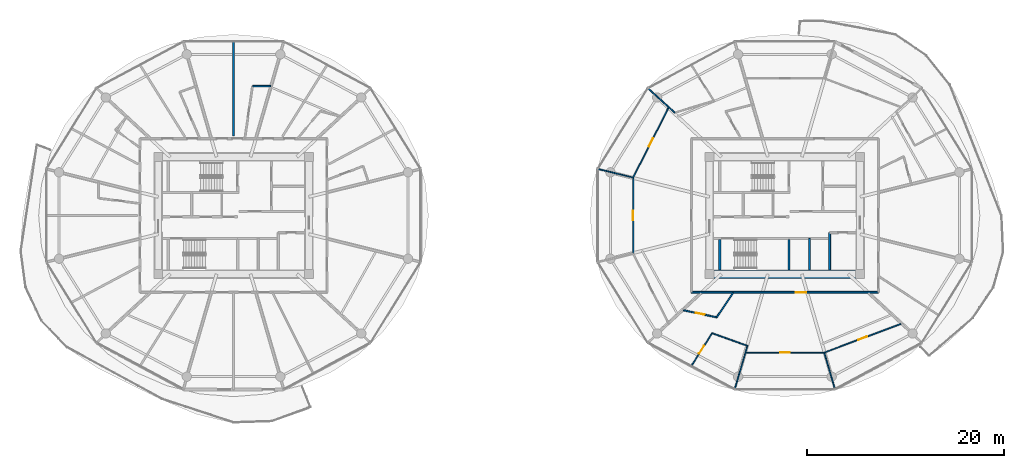
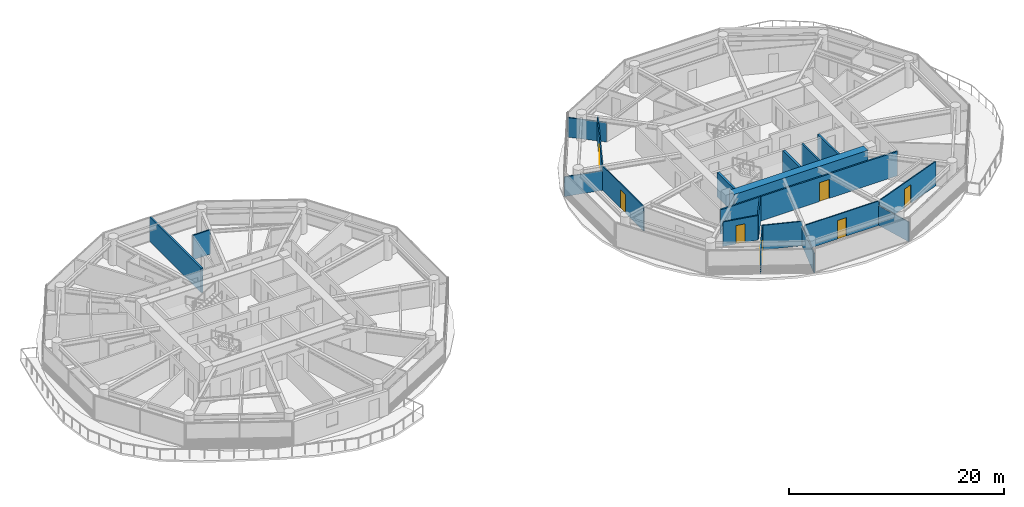
# One storey, part 18 of 27: 20 walls, 7 doors, 7 openings.
"""IFC4 building model written with IfcOpenShell, lengths in metres."""

from ifc_helpers import new_model, si_unit, direction, frame, frame_2d, origin, place, context, subcontext, project, spatial, rectangle, extrude, source, transform, mapped, material, layer, layer_set, type_object, type_shapes, element, fill, save


model = new_model("IFC4")

# Units and contexts
model_context = context("Model", 3, precision=1e-05, world=origin(), true_north=direction((0.0, 1.0)))
body_context = subcontext(model_context, "Body", "Model", "MODEL_VIEW")
ifc_project = project(units=[si_unit("LENGTHUNIT", "METRE"), si_unit("AREAUNIT", "SQUARE_METRE"), si_unit("VOLUMEUNIT", "CUBIC_METRE"), si_unit("PLANEANGLEUNIT", "RADIAN"), si_unit("MASSUNIT", "GRAM", prefix="KILO")], contexts=[model_context])

# Site, building, storey
site_placement = place(None, origin())
site = spatial("IfcSite", under=ifc_project, at=site_placement, CompositionType="ELEMENT")
building_placement = place(site_placement, origin())
building = spatial("IfcBuilding", under=site, at=building_placement, Name="Norrkilde Senior Care Towers", CompositionType="ELEMENT")
storey_placement = place(building_placement, frame((0.0, 0.0, 46.0)))
storey = spatial("IfcBuildingStorey", under=building, at=storey_placement, Name="L13", CompositionType="ELEMENT", Elevation=46.0)

# Walls
ifc_material_1 = material(Name="Concrete C60/75", Category="concrete")
ifc_layer_1 = layer(ifc_material_1, 0.85009765625)
ifc_layer_set_1 = layer_set([ifc_layer_1], Name="Concrete C60/75")
wall_type_1 = type_object("IfcWallType", Name="Core Shear Wall Z1 850", PredefinedType="SHEAR", material=ifc_layer_set_1)
shared_shape_1 = source(origin(), body_context, "Body", "SweptSolid", [
    extrude(rectangle(XDim=14.39990234375, YDim=0.85009765625, at=frame_2d((7.199951171875, 0.0))), origin(), (0.0, 0.0, 1.0), 2.7900390625),
])
type_shapes(wall_type_1, [shared_shape_1])
wall_1_placement = place(storey_placement, frame((35.199951171875, -5.949951171875, 0.0), z_axis=(0.0, 0.0, 1.0), x_axis=(-1.0, 0.0, 0.0)))
element("IfcWall", 1, at=wall_1_placement, inside=storey, type_object=wall_type_1, Name="L13 Core E South Shear Wall", PredefinedType="SHEAR", context=body_context, shape_type="MappedRepresentation", body=[
    mapped(shared_shape_1, transform((0.0, 0.0, 0.0), x_axis=(1.0, 0.0, 0.0), y_axis=(0.0, 1.0, 0.0), z_axis=(0.0, 0.0, 1.0), scale=1.0)),
])
ifc_material_2 = material(Name="Concrete C45/55", Category="concrete")
ifc_layer_2 = layer(ifc_material_2, 0.199951171875)
ifc_layer_set_2 = layer_set([ifc_layer_2], Name="Concrete C45/55")
wall_type_2 = type_object("IfcWallType", Name="Shaft Division and Plant Partition 200", PredefinedType="PARTITIONING", material=ifc_layer_set_2)
shared_shape_2 = source(origin(), body_context, "Body", "SweptSolid", [
    extrude(rectangle(XDim=3.800048828125, YDim=0.199951171875, at=frame_2d((1.89990234375, 0.0))), origin(), (0.0, 0.0, 1.0), 2.77490234375),
])
type_shapes(wall_type_2, [shared_shape_2])
wall_2_placement = place(storey_placement, frame((32.550048828125, -5.550048828125, 0.0), z_axis=(0.0, 0.0, 1.0), x_axis=(0.0, 1.0, 0.0)))
element("IfcWall", 2, at=wall_2_placement, inside=storey, type_object=wall_type_2, Name="WL-INT-L13-E-PKBE", PredefinedType="PARTITIONING", context=body_context, shape_type="MappedRepresentation", body=[
    mapped(shared_shape_2, transform((0.0, 0.0, 0.0), x_axis=(1.0, 0.0, 0.0), y_axis=(0.0, 1.0, 0.0), z_axis=(0.0, 0.0, 1.0), scale=1.0)),
])
ifc_layer_3 = layer(ifc_material_2, 0.179931640625)
ifc_layer_set_3 = layer_set([ifc_layer_3], Name="Concrete C45/55")
wall_type_3 = type_object("IfcWallType", Name="Hoistway Division Rated Partition 180", PredefinedType="PARTITIONING", material=ifc_layer_set_3)
shared_shape_3 = source(origin(), body_context, "Body", "SweptSolid", [
    extrude(rectangle(XDim=3.219970703125, YDim=0.179931640625, at=frame_2d((1.60986328125, 0.0))), origin(), (0.0, 0.0, 1.0), 2.77490234375),
])
type_shapes(wall_type_3, [shared_shape_3])
wall_3_placement = place(storey_placement, frame((30.5, -5.550048828125, 0.0), z_axis=(0.0, 0.0, 1.0), x_axis=(0.0, 1.0, 0.0)))
element("IfcWall", 3, at=wall_3_placement, inside=storey, type_object=wall_type_3, Name="WL-INT-L13-E-PL34", PredefinedType="PARTITIONING", context=body_context, shape_type="MappedRepresentation", body=[
    mapped(shared_shape_3, transform((0.0, 0.0, 0.0), x_axis=(1.0, 0.0, 0.0), y_axis=(0.0, 1.0, 0.0), z_axis=(0.0, 0.0, 1.0), scale=1.0)),
])

# Wall, opening, door
ifc_material_3 = material(Name="Gypsum Acoustic Board")
ifc_layer_4 = layer(ifc_material_3, 0.1650390625)
ifc_layer_set_4 = layer_set([ifc_layer_4], Name="Gypsum Acoustic Board")
wall_type_4 = type_object("IfcWallType", Name="Corridor Rated Partition 165", PredefinedType="PARTITIONING", material=ifc_layer_set_4)
shared_shape_4 = source(origin(), body_context, "Body", "SweptSolid", [
    extrude(rectangle(XDim=19.0, YDim=0.1650390625, at=frame_2d((9.5, 0.0))), origin(), (0.0, 0.0, 1.0), 2.77490234375),
])
type_shapes(wall_type_4, [shared_shape_4])
wall_4_placement = place(storey_placement, frame((37.5, -7.800048828125, 0.0), z_axis=(0.0, 0.0, 1.0), x_axis=(-1.0, 0.0, 0.0)))
wall_4 = element("IfcWall", 4, at=wall_4_placement, inside=storey, type_object=wall_type_4, Name="WL-INT-L13-E-CRW-S-0", PredefinedType="PARTITIONING", context=body_context, shape_type="MappedRepresentation", body=[
    mapped(shared_shape_4, transform((0.0, 0.0, 0.0), x_axis=(1.0, 0.0, 0.0), y_axis=(0.0, 1.0, 0.0), z_axis=(0.0, 0.0, 1.0), scale=1.0)),
])
opening_1_placement = place(wall_4_placement, frame((7.33642578125, 0.0, 0.0)))
opening_1 = element("IfcOpeningElement", 5, at=opening_1_placement, cuts=wall_4, Name="Opening D-06", PredefinedType="OPENING", context=body_context, shape_type="SweptSolid", body=[
    extrude(rectangle(XDim=1.050048828125, YDim=2.14990234375, at=frame_2d((0.52490234375, 1.074951171875))), frame((0.0, 0.092529296875, 0.0), z_axis=(0.0, -1.0, 0.0), x_axis=(1.0, 0.0, 0.0)), (0.0, 0.0, 1.0), 0.18505859375),
])
ifc_material_4 = material(Name="Nordic Ash Timber", Category="wood")
door_type_1 = type_object("IfcDoorType", Name="Apartment Entrance Fire Door 1050x2150", OperationType="NOTDEFINED", PredefinedType="DOOR", material=ifc_material_4)
shared_shape_5 = source(origin(), body_context, "Body", "SweptSolid", [
    extrude(rectangle(XDim=1.050048828125, YDim=2.14990234375, at=frame_2d((0.52490234375, 1.074951171875))), frame((0.0, 0.02490234375, 0.0), z_axis=(0.0, -1.0, 0.0), x_axis=(1.0, 0.0, 0.0)), (0.0, 0.0, 1.0), 0.050048828125),
])
type_shapes(door_type_1, [shared_shape_5])
door_1_placement = place(opening_1_placement, frame((1.050048828125, 0.0, 0.0), z_axis=(0.0, 0.0, 1.0), x_axis=(-1.0, 0.0, 0.0)))
door_1 = element("IfcDoor", 6, at=door_1_placement, inside=storey, type_object=door_type_1, Name="Apartment 13B Entrance Door", OperationType="SINGLE_SWING_RIGHT", OverallHeight=2.14990234375, OverallWidth=1.050048828125, PredefinedType="DOOR", context=body_context, shape_type="MappedRepresentation", body=[
    mapped(shared_shape_5, transform((0.0, 0.0, 0.0), x_axis=(1.0, 0.0, 0.0), y_axis=(0.0, 1.0, 0.0), z_axis=(0.0, 0.0, 1.0), scale=1.0)),
])
fill(opening_1, door_1)

ifc_layer_5 = layer(ifc_material_3, 0.114990234375)
ifc_layer_set_5 = layer_set([ifc_layer_5], Name="Gypsum Acoustic Board")
wall_type_5 = type_object("IfcWallType", Name="Internal Room Partition 115", PredefinedType="PARTITIONING", material=ifc_layer_set_5)
shared_shape_6 = source(origin(), body_context, "Body", "SweptSolid", [
    extrude(rectangle(XDim=7.99267578125, YDim=0.114990234375, at=frame_2d((3.996337890625, 0.0))), origin(), (0.0, 0.0, 1.0), 2.77490234375),
])
wall_5_placement = place(storey_placement, frame((24.003662109375, -13.927001953125, 0.0), z_axis=(0.0, 0.0, 1.0), x_axis=(1.0, 0.0, 0.0)))
wall_5 = element("IfcWall", 7, at=wall_5_placement, inside=storey, type_object=wall_type_5, Name="WL-INT-L13-E-UBC-07-1", PredefinedType="PARTITIONING", context=body_context, shape_type="MappedRepresentation", body=[
    mapped(shared_shape_6, transform((0.0, 0.0, 0.0), x_axis=(1.0, 0.0, 0.0), y_axis=(0.0, 1.0, 0.0), z_axis=(0.0, 0.0, 1.0), scale=1.0)),
])
opening_2_placement = place(wall_5_placement, frame((3.521484375, 0.0, 0.0)))
opening_2 = element("IfcOpeningElement", 8, at=opening_2_placement, cuts=wall_5, Name="Opening D-07", PredefinedType="OPENING", context=body_context, shape_type="SweptSolid", body=[
    extrude(rectangle(XDim=0.949951171875, YDim=2.10009765625, at=frame_2d((0.47509765625, 1.050048828125))), frame((0.0, 0.0673828125, 0.0), z_axis=(0.0, -1.0, 0.0), x_axis=(1.0, 0.0, 0.0)), (0.0, 0.0, 1.0), 0.135009765625),
])
door_type_2 = type_object("IfcDoorType", Name="Internal Suite Bedroom Door 950x2100", OperationType="NOTDEFINED", PredefinedType="DOOR", material=ifc_material_4)
shared_shape_7 = source(origin(), body_context, "Body", "SweptSolid", [
    extrude(rectangle(XDim=0.949951171875, YDim=2.10009765625, at=frame_2d((0.47509765625, 1.050048828125))), frame((0.0, 0.02490234375, 0.0), z_axis=(0.0, -1.0, 0.0), x_axis=(1.0, 0.0, 0.0)), (0.0, 0.0, 1.0), 0.050048828125),
])
type_shapes(door_type_2, [shared_shape_7])
door_2_placement = place(opening_2_placement, origin())
door_2 = element("IfcDoor", 9, at=door_2_placement, inside=storey, type_object=door_type_2, Name="Apartment 13B Bedroom 1 Door", OperationType="SINGLE_SWING_LEFT", OverallHeight=2.10009765625, OverallWidth=0.949951171875, PredefinedType="DOOR", context=body_context, shape_type="MappedRepresentation", body=[
    mapped(shared_shape_7, transform((0.0, 0.0, 0.0), x_axis=(1.0, 0.0, 0.0), y_axis=(0.0, 1.0, 0.0), z_axis=(0.0, 0.0, 1.0), scale=1.0)),
])
fill(opening_2, door_2)

# Wall
ifc_layer_6 = layer(ifc_material_3, 0.139892578125)
ifc_layer_set_6 = layer_set([ifc_layer_6], Name="Gypsum Acoustic Board")
wall_type_6 = type_object("IfcWallType", Name="En-suite Wet Room Wall 140", PredefinedType="PARTITIONING", material=ifc_layer_set_6)
shared_shape_8 = source(origin(), body_context, "Body", "SweptSolid", [
    extrude(rectangle(XDim=3.025146484375, YDim=0.139892578125, at=frame_2d((1.5126953125, 0.0))), origin(), (0.0, 0.0, 1.0), 2.77490234375),
])
wall_6_placement = place(storey_placement, frame((22.76025390625, -7.830078125, 0.0), z_axis=(0.0, 0.0, 1.0), x_axis=(-0.556189165904, -0.831055721195, 0.0)))
element("IfcWall", 10, at=wall_6_placement, inside=storey, type_object=wall_type_6, Name="WL-INT-L13-E-UBTS-07", PredefinedType="PARTITIONING", context=body_context, shape_type="MappedRepresentation", body=[
    mapped(shared_shape_8, transform((0.0, 0.0, 0.0), x_axis=(1.0, 0.0, 0.0), y_axis=(0.0, 1.0, 0.0), z_axis=(0.0, 0.0, 1.0), scale=1.0)),
])

# Wall, opening, door
shared_shape_9 = source(origin(), body_context, "Body", "SweptSolid", [
    extrude(rectangle(XDim=3.458984375, YDim=0.139892578125, at=frame_2d((1.7294921875, 0.0))), origin(), (0.0, 0.0, 1.0), 2.77490234375),
])
wall_7_placement = place(storey_placement, frame((21.07763671875, -10.34423828125, 0.0), z_axis=(0.0, 0.0, 1.0), x_axis=(-0.978006468578, 0.208574560815, 0.0)))
wall_7 = element("IfcWall", 11, at=wall_7_placement, inside=storey, type_object=wall_type_6, Name="WL-INT-L13-E-UBTF-07", PredefinedType="PARTITIONING", context=body_context, shape_type="MappedRepresentation", body=[
    mapped(shared_shape_9, transform((0.0, 0.0, 0.0), x_axis=(1.0, 0.0, 0.0), y_axis=(0.0, 1.0, 0.0), z_axis=(0.0, 0.0, 1.0), scale=1.0)),
])
opening_3_placement = place(wall_7_placement, frame((1.26953125, 0.0, 0.0)))
opening_3 = element("IfcOpeningElement", 12, at=opening_3_placement, cuts=wall_7, Name="Opening D-08", PredefinedType="OPENING", context=body_context, shape_type="SweptSolid", body=[
    extrude(rectangle(XDim=0.919921875, YDim=2.10009765625, at=frame_2d((0.4599609375, 1.050048828125))), frame((0.0, 0.079833984375, 0.0), z_axis=(0.0, -1.0, 0.0), x_axis=(1.0, 0.0, 0.0)), (0.0, 0.0, 1.0), 0.159912109375),
])
door_type_3 = type_object("IfcDoorType", Name="Accessible Wet Room Door 920x2100", OperationType="NOTDEFINED", PredefinedType="DOOR", material=ifc_material_4)
shared_shape_10 = source(origin(), body_context, "Body", "SweptSolid", [
    extrude(rectangle(XDim=0.919921875, YDim=2.10009765625, at=frame_2d((0.4599609375, 1.050048828125))), frame((0.0, 0.02490234375, 0.0), z_axis=(0.0, -1.0, 0.0), x_axis=(1.0, 0.0, 0.0)), (0.0, 0.0, 1.0), 0.050048828125),
])
type_shapes(door_type_3, [shared_shape_10])
door_3_placement = place(opening_3_placement, origin())
door_3 = element("IfcDoor", 13, at=door_3_placement, inside=storey, type_object=door_type_3, Name="Apartment 13B Bathroom Door", OperationType="SINGLE_SWING_LEFT", OverallHeight=2.10009765625, OverallWidth=0.919921875, PredefinedType="DOOR", context=body_context, shape_type="MappedRepresentation", body=[
    mapped(shared_shape_10, transform((0.0, 0.0, 0.0), x_axis=(1.0, 0.0, 0.0), y_axis=(0.0, 1.0, 0.0), z_axis=(0.0, 0.0, 1.0), scale=1.0)),
])
fill(opening_3, door_3)

shared_shape_11 = source(origin(), body_context, "Body", "SweptSolid", [
    extrude(rectangle(XDim=8.017822265625, YDim=0.114990234375, at=frame_2d((4.0087890625, 0.0))), origin(), (0.0, 0.0, 1.0), 2.77490234375),
])
wall_8_placement = place(storey_placement, frame((16.205078125, 11.013916015625, 0.0), z_axis=(0.0, 0.0, 1.0), x_axis=(-0.450134355233, -0.89296084026, 0.0)))
wall_8 = element("IfcWall", 14, at=wall_8_placement, inside=storey, type_object=wall_type_5, Name="WL-INT-L13-E-UBC-03-1", PredefinedType="PARTITIONING", context=body_context, shape_type="MappedRepresentation", body=[
    mapped(shared_shape_11, transform((0.0, 0.0, 0.0), x_axis=(1.0, 0.0, 0.0), y_axis=(0.0, 1.0, 0.0), z_axis=(0.0, 0.0, 1.0), scale=1.0)),
])
opening_4_placement = place(wall_8_placement, frame((3.533935546875, 0.0, 0.0)))
opening_4 = element("IfcOpeningElement", 15, at=opening_4_placement, cuts=wall_8, Name="Opening D-07", PredefinedType="OPENING", context=body_context, shape_type="SweptSolid", body=[
    extrude(rectangle(XDim=0.949951171875, YDim=2.10009765625, at=frame_2d((0.47509765625, 1.050048828125))), frame((0.0, 0.0673828125, 0.0), z_axis=(0.0, -1.0, 0.0), x_axis=(1.0, 0.0, 0.0)), (0.0, 0.0, 1.0), 0.135009765625),
])
door_4_placement = place(opening_4_placement, origin())
door_4 = element("IfcDoor", 16, at=door_4_placement, inside=storey, type_object=door_type_2, Name="Apartment 13A Bedroom 1 Door", OperationType="SINGLE_SWING_LEFT", OverallHeight=2.10009765625, OverallWidth=0.949951171875, PredefinedType="DOOR", context=body_context, shape_type="MappedRepresentation", body=[
    mapped(shared_shape_7, transform((0.0, 0.0, 0.0), x_axis=(1.0, 0.0, 0.0), y_axis=(0.0, 1.0, 0.0), z_axis=(0.0, 0.0, 1.0), scale=1.0)),
])
fill(opening_4, door_4)

shared_shape_12 = source(origin(), body_context, "Body", "SweptSolid", [
    extrude(rectangle(XDim=8.31982421875, YDim=0.114990234375, at=frame_2d((4.159912109375, 0.0))), origin(), (0.0, 0.0, 1.0), 2.77490234375),
])
wall_9_placement = place(storey_placement, frame((31.997314453125, -13.93017578125, 0.0), z_axis=(0.0, 0.0, 1.0), x_axis=(0.936180763098, 0.351518959382, 0.0)))
wall_9 = element("IfcWall", 17, at=wall_9_placement, inside=storey, type_object=wall_type_5, Name="WL-INT-L13-E-UBC-07-2", PredefinedType="PARTITIONING", context=body_context, shape_type="MappedRepresentation", body=[
    mapped(shared_shape_12, transform((0.0, 0.0, 0.0), x_axis=(1.0, 0.0, 0.0), y_axis=(0.0, 1.0, 0.0), z_axis=(0.0, 0.0, 1.0), scale=1.0)),
])
opening_5_placement = place(wall_9_placement, frame((3.684814453125, 0.0, 0.0)))
opening_5 = element("IfcOpeningElement", 18, at=opening_5_placement, cuts=wall_9, Name="Opening D-07", PredefinedType="OPENING", context=body_context, shape_type="SweptSolid", body=[
    extrude(rectangle(XDim=0.949951171875, YDim=2.10009765625, at=frame_2d((0.47509765625, 1.050048828125))), frame((0.0, 0.0673828125, 0.0), z_axis=(0.0, -1.0, 0.0), x_axis=(1.0, 0.0, 0.0)), (0.0, 0.0, 1.0), 0.135009765625),
])
door_5_placement = place(opening_5_placement, frame((0.949951171875, 0.0, 0.0), z_axis=(0.0, 0.0, 1.0), x_axis=(-1.0, 0.0, 0.0)))
door_5 = element("IfcDoor", 19, at=door_5_placement, inside=storey, type_object=door_type_2, Name="Apartment 13B Bedroom 2 Door", OperationType="SINGLE_SWING_RIGHT", OverallHeight=2.10009765625, OverallWidth=0.949951171875, PredefinedType="DOOR", context=body_context, shape_type="MappedRepresentation", body=[
    mapped(shared_shape_7, transform((0.0, 0.0, 0.0), x_axis=(1.0, 0.0, 0.0), y_axis=(0.0, 1.0, 0.0), z_axis=(0.0, 0.0, 1.0), scale=1.0)),
])
fill(opening_5, door_5)

# Walls
ifc_layer_7 = layer(ifc_material_2, 0.239990234375)
ifc_layer_set_7 = layer_set([ifc_layer_7], Name="Concrete C45/55")
wall_type_7 = type_object("IfcWallType", Name="Shaft and Stair Enclosure Wall 240", PredefinedType="PARTITIONING", material=ifc_layer_set_7)
shared_shape_13 = source(origin(), body_context, "Body", "SweptSolid", [
    extrude(rectangle(XDim=3.074951171875, YDim=0.239990234375, at=frame_2d((1.53759765625, 0.0))), origin(), (0.0, 0.0, 1.0), 2.7900390625),
])
type_shapes(wall_type_7, [shared_shape_13])
for number, where, z_axis, x_axis, name in (
    (20, (21.3798828125, -5.52490234375, 0.0), (0.0, 0.0, 1.0), (0.0, 1.0, 0.0), "WL-INT-L13-E-ST2W"),
    (21, (28.419921875, -5.52490234375, 0.0), (0.0, 0.0, 1.0), (0.0, 1.0, 0.0), "WL-INT-L13-E-ST2E"),
):
    element("IfcWall", number, at=place(storey_placement, frame(where, z_axis=z_axis, x_axis=x_axis)), inside=storey, type_object=wall_type_7, Name=name, PredefinedType="PARTITIONING", context=body_context, shape_type="MappedRepresentation", body=[
        mapped(shared_shape_13, transform((0.0, 0.0, 0.0), x_axis=(1.0, 0.0, 0.0), y_axis=(0.0, 1.0, 0.0), z_axis=(0.0, 0.0, 1.0), scale=1.0)),
    ])
ifc_layer_8 = layer(ifc_material_3, 0.18994140625)
ifc_layer_set_8 = layer_set([ifc_layer_8], Name="Gypsum Acoustic Board")
wall_type_8 = type_object("IfcWallType", Name="Unit Demising Acoustic Wall 190", PredefinedType="PARTITIONING", material=ifc_layer_set_8)
shared_shape_14 = source(origin(), body_context, "Body", "SweptSolid", [
    extrude(rectangle(XDim=9.6005859375, YDim=0.18994140625, at=frame_2d((4.80029296875, 0.0))), origin(), (0.0, 0.0, 1.0), 2.77490234375),
])
type_shapes(wall_type_8, [shared_shape_14])
wall_10_placement = place(storey_placement, frame((-28.0, 8.075927734375, 0.0), z_axis=(0.0, 0.0, 1.0), x_axis=(0.0, 1.0, 0.0)))
element("IfcWall", 22, at=wall_10_placement, inside=storey, type_object=wall_type_8, Name="WL-INT-L13-W-CMID-02", PredefinedType="PARTITIONING", context=body_context, shape_type="MappedRepresentation", body=[
    mapped(shared_shape_14, transform((0.0, 0.0, 0.0), x_axis=(1.0, 0.0, 0.0), y_axis=(0.0, 1.0, 0.0), z_axis=(0.0, 0.0, 1.0), scale=1.0)),
])
shared_shape_15 = source(origin(), body_context, "Body", "SweptSolid", [
    extrude(rectangle(XDim=1.842529296875, YDim=0.139892578125, at=frame_2d((0.92138671875, 0.0))), origin(), (0.0, 0.0, 1.0), 2.77490234375),
])
type_shapes(wall_type_6, [shared_shape_8, shared_shape_9, shared_shape_15])
wall_11_placement = place(storey_placement, frame((-26.072021484375, 13.142822265625, 0.0), z_axis=(0.0, 0.0, 1.0), x_axis=(0.999998937801, -0.001457531246, 0.0)))
element("IfcWall", 23, at=wall_11_placement, inside=storey, type_object=wall_type_6, Name="WL-INT-L13-W-EF-02A", PredefinedType="PARTITIONING", context=body_context, shape_type="MappedRepresentation", body=[
    mapped(shared_shape_15, transform((0.0, 0.0, 0.0), x_axis=(1.0, 0.0, 0.0), y_axis=(0.0, 1.0, 0.0), z_axis=(0.0, 0.0, 1.0), scale=1.0)),
])
shared_shape_16 = source(origin(), body_context, "Body", "SweptSolid", [
    extrude(rectangle(XDim=4.62451171875, YDim=0.114990234375, at=frame_2d((2.312255859375, 0.0))), origin(), (0.0, 0.0, 1.0), 2.22509765625),
])
wall_12_placement = place(storey_placement, frame((24.201171875, -13.238525390625, 0.0), z_axis=(0.0, 0.0, 1.0), x_axis=(-0.2810742844, -0.959686014616, 0.0)))
element("IfcWall", 24, at=wall_12_placement, inside=storey, type_object=wall_type_5, Name="WL-INT-L13-E-UBR-07-1", PredefinedType="PARTITIONING", context=body_context, shape_type="MappedRepresentation", body=[
    mapped(shared_shape_16, transform((0.0, 0.0, 0.0), x_axis=(1.0, 0.0, 0.0), y_axis=(0.0, 1.0, 0.0), z_axis=(0.0, 0.0, 1.0), scale=1.0)),
])
shared_shape_17 = source(origin(), body_context, "Body", "SweptSolid", [
    extrude(rectangle(XDim=3.90478515625, YDim=0.114990234375, at=frame_2d((1.952392578125, 0.0))), origin(), (0.0, 0.0, 1.0), 2.22509765625),
])
wall_13_placement = place(storey_placement, frame((31.997314453125, -13.93017578125, 0.0), z_axis=(0.0, 0.0, 1.0), x_axis=(0.282037692958, -0.959403324859, 0.0)))
element("IfcWall", 25, at=wall_13_placement, inside=storey, type_object=wall_type_5, Name="WL-INT-L13-E-UBR-07-2", PredefinedType="PARTITIONING", context=body_context, shape_type="MappedRepresentation", body=[
    mapped(shared_shape_17, transform((0.0, 0.0, 0.0), x_axis=(1.0, 0.0, 0.0), y_axis=(0.0, 1.0, 0.0), z_axis=(0.0, 0.0, 1.0), scale=1.0)),
])

# Wall, opening, door
shared_shape_18 = source(origin(), body_context, "Body", "SweptSolid", [
    extrude(rectangle(XDim=3.974365234375, YDim=0.114990234375, at=frame_2d((1.9873046875, 0.0))), origin(), (0.0, 0.0, 1.0), 2.77490234375),
])
wall_14_placement = place(storey_placement, frame((20.611083984375, -11.9501953125, 0.0), z_axis=(0.0, 0.0, 1.0), x_axis=(-0.534810918023, -0.844971764003, 0.0)))
wall_14 = element("IfcWall", 26, at=wall_14_placement, inside=storey, type_object=wall_type_5, Name="WL-INT-L13-E-UKTS-07", PredefinedType="PARTITIONING", context=body_context, shape_type="MappedRepresentation", body=[
    mapped(shared_shape_18, transform((0.0, 0.0, 0.0), x_axis=(1.0, 0.0, 0.0), y_axis=(0.0, 1.0, 0.0), z_axis=(0.0, 0.0, 1.0), scale=1.0)),
])
opening_6_placement = place(wall_14_placement, frame((1.51220703125, 0.0, 0.0)))
opening_6 = element("IfcOpeningElement", 27, at=opening_6_placement, cuts=wall_14, Name="Opening D-07", PredefinedType="OPENING", context=body_context, shape_type="SweptSolid", body=[
    extrude(rectangle(XDim=0.949951171875, YDim=2.10009765625, at=frame_2d((0.47509765625, 1.050048828125))), frame((0.0, 0.0673828125, 0.0), z_axis=(0.0, -1.0, 0.0), x_axis=(1.0, 0.0, 0.0)), (0.0, 0.0, 1.0), 0.135009765625),
])
door_6_placement = place(opening_6_placement, frame((0.949951171875, 0.0, 0.0), z_axis=(0.0, 0.0, 1.0), x_axis=(-1.0, 0.0, 0.0)))
door_6 = element("IfcDoor", 28, at=door_6_placement, inside=storey, type_object=door_type_2, Name="Apartment 13B Kitchen Door", OperationType="SINGLE_SWING_RIGHT", OverallHeight=2.10009765625, OverallWidth=0.949951171875, PredefinedType="DOOR", context=body_context, shape_type="MappedRepresentation", body=[
    mapped(shared_shape_7, transform((0.0, 0.0, 0.0), x_axis=(1.0, 0.0, 0.0), y_axis=(0.0, 1.0, 0.0), z_axis=(0.0, 0.0, 1.0), scale=1.0)),
])
fill(opening_6, door_6)

# Wall
shared_shape_19 = source(origin(), body_context, "Body", "SweptSolid", [
    extrude(rectangle(XDim=3.814453125, YDim=0.114990234375, at=frame_2d((1.9072265625, 0.0))), origin(), (0.0, 0.0, 1.0), 2.77490234375),
])
wall_15_placement = place(storey_placement, frame((20.611083984375, -11.9501953125, 0.0), z_axis=(0.0, 0.0, 1.0), x_axis=(0.940935542004, -0.338585743637, 0.0)))
element("IfcWall", 29, at=wall_15_placement, inside=storey, type_object=wall_type_5, Name="WL-INT-L13-E-UKTF-07", PredefinedType="PARTITIONING", context=body_context, shape_type="MappedRepresentation", body=[
    mapped(shared_shape_19, transform((0.0, 0.0, 0.0), x_axis=(1.0, 0.0, 0.0), y_axis=(0.0, 1.0, 0.0), z_axis=(0.0, 0.0, 1.0), scale=1.0)),
])

# Wall, opening, door
shared_shape_20 = source(origin(), body_context, "Body", "SweptSolid", [
    extrude(rectangle(XDim=7.70947265625, YDim=0.114990234375, at=frame_2d((3.854736328125, 0.0))), origin(), (0.0, 0.0, 1.0), 2.77490234375),
])
wall_16_placement = place(storey_placement, frame((12.59375, 3.854736328125, 0.0), z_axis=(0.0, 0.0, 1.0), x_axis=(0.0, -1.0, 0.0)))
wall_16 = element("IfcWall", 30, at=wall_16_placement, inside=storey, type_object=wall_type_5, Name="WL-INT-L13-E-UBC-03-2", PredefinedType="PARTITIONING", context=body_context, shape_type="MappedRepresentation", body=[
    mapped(shared_shape_20, transform((0.0, 0.0, 0.0), x_axis=(1.0, 0.0, 0.0), y_axis=(0.0, 1.0, 0.0), z_axis=(0.0, 0.0, 1.0), scale=1.0)),
])
opening_7_placement = place(wall_16_placement, frame((3.379638671875, 0.0, 0.0)))
opening_7 = element("IfcOpeningElement", 31, at=opening_7_placement, cuts=wall_16, Name="Opening D-07", PredefinedType="OPENING", context=body_context, shape_type="SweptSolid", body=[
    extrude(rectangle(XDim=0.949951171875, YDim=2.10009765625, at=frame_2d((0.47509765625, 1.050048828125))), frame((0.0, 0.0673828125, 0.0), z_axis=(0.0, -1.0, 0.0), x_axis=(1.0, 0.0, 0.0)), (0.0, 0.0, 1.0), 0.135009765625),
])
door_7_placement = place(opening_7_placement, frame((0.949951171875, 0.0, 0.0), z_axis=(0.0, 0.0, 1.0), x_axis=(-1.0, 0.0, 0.0)))
door_7 = element("IfcDoor", 32, at=door_7_placement, inside=storey, type_object=door_type_2, Name="Apartment 13A Bedroom 2 Door", OperationType="SINGLE_SWING_RIGHT", OverallHeight=2.10009765625, OverallWidth=0.949951171875, PredefinedType="DOOR", context=body_context, shape_type="MappedRepresentation", body=[
    mapped(shared_shape_7, transform((0.0, 0.0, 0.0), x_axis=(1.0, 0.0, 0.0), y_axis=(0.0, 1.0, 0.0), z_axis=(0.0, 0.0, 1.0), scale=1.0)),
])
fill(opening_7, door_7)

# Walls
shared_shape_21 = source(origin(), body_context, "Body", "SweptSolid", [
    extrude(rectangle(XDim=3.700439453125, YDim=0.114990234375, at=frame_2d((1.85009765625, 0.0))), origin(), (0.0, 0.0, 1.0), 2.22509765625),
])
wall_17_placement = place(storey_placement, frame((16.80810546875, 10.45068359375, 0.0), z_axis=(0.0, 0.0, 1.0), x_axis=(-0.739922161065, 0.672692497033, 0.0)))
element("IfcWall", 33, at=wall_17_placement, inside=storey, type_object=wall_type_5, Name="WL-INT-L13-E-UBR-03-1", PredefinedType="PARTITIONING", context=body_context, shape_type="MappedRepresentation", body=[
    mapped(shared_shape_21, transform((0.0, 0.0, 0.0), x_axis=(1.0, 0.0, 0.0), y_axis=(0.0, 1.0, 0.0), z_axis=(0.0, 0.0, 1.0), scale=1.0)),
])
shared_shape_22 = source(origin(), body_context, "Body", "SweptSolid", [
    extrude(rectangle(XDim=3.728271484375, YDim=0.114990234375, at=frame_2d((1.8642578125, 0.0))), origin(), (0.0, 0.0, 1.0), 2.22509765625),
])
type_shapes(wall_type_5, [shared_shape_6, shared_shape_11, shared_shape_12, shared_shape_16, shared_shape_17, shared_shape_18, shared_shape_19, shared_shape_20, shared_shape_21, shared_shape_22])
wall_18_placement = place(storey_placement, frame((12.59375, 3.854736328125, 0.0), z_axis=(0.0, 0.0, 1.0), x_axis=(-0.971641177968, 0.236460189624, 0.0)))
element("IfcWall", 34, at=wall_18_placement, inside=storey, type_object=wall_type_5, Name="WL-INT-L13-E-UBR-03-2", PredefinedType="PARTITIONING", context=body_context, shape_type="MappedRepresentation", body=[
    mapped(shared_shape_22, transform((0.0, 0.0, 0.0), x_axis=(1.0, 0.0, 0.0), y_axis=(0.0, 1.0, 0.0), z_axis=(0.0, 0.0, 1.0), scale=1.0)),
])

save(model, "model.ifc")
